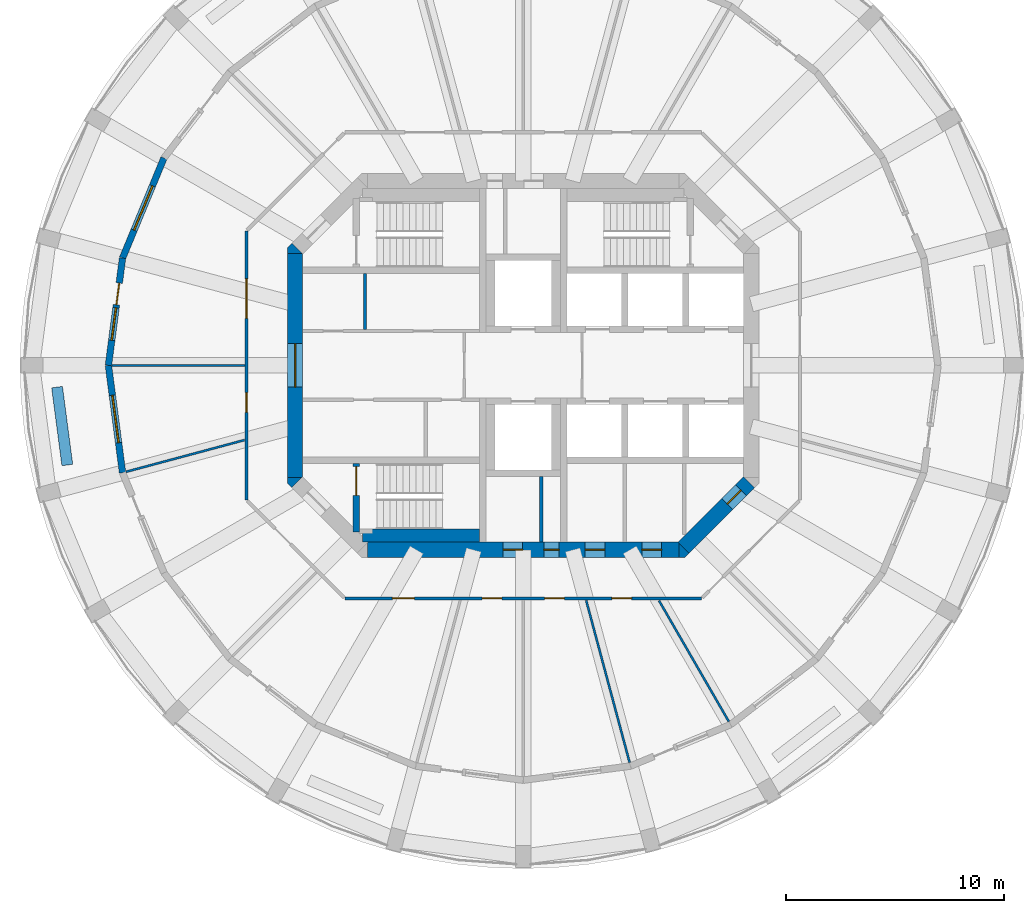
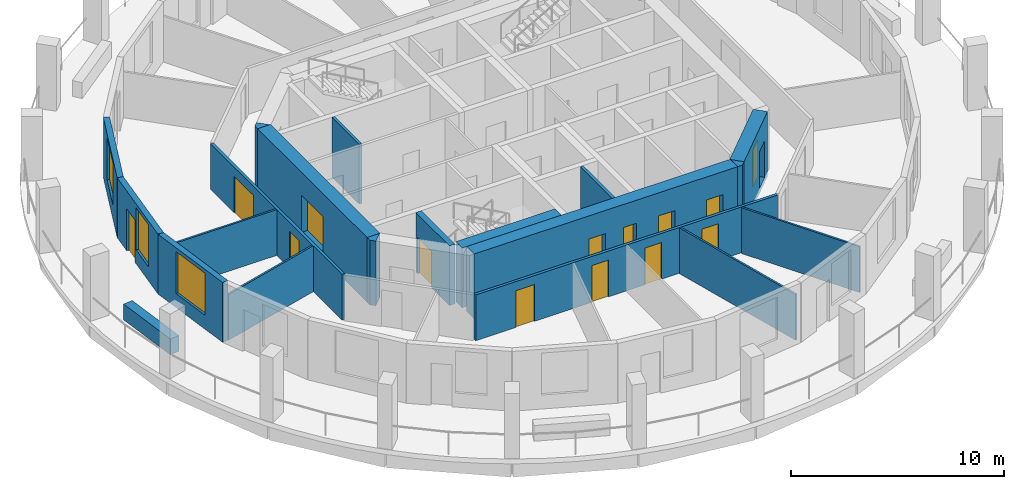
# One storey, part 3 of 9: 20 walls, 14 doors, 3 windows, 17 openings.
"""IFC4 building model written with IfcOpenShell, lengths in metres."""

import ifcopenshell
import ifcopenshell.guid

model = None  # the IFC model being written
_history = None  # IfcOwnerHistory: only IFC2X3 demands one
_inside = {}  # id of a spatial element -> (the spatial element, [elements in it])
_under = {}  # id of a project, library or spatial element -> (it, [spatial elements below it])
_declared = {}  # id of a project -> (the project, [libraries it declares])
_typed = {}  # id of a type object -> (the type object, [elements of that type])
_made_of = {}  # id of a material, layer set ... -> (it, [elements and type objects made of it])


def new_model(schema):
    """Start an empty IFC model of exactly this schema.

    Asked for "IFC4X3", IfcOpenShell would pick the latest addendum, in which some entities
    have other attributes; the version numbers below select the first issue.
    IFC2X3 requires an IfcOwnerHistory on every rooted entity: one is made here for all.
    """
    global model, _history
    if schema == "IFC4X3":
        model = ifcopenshell.file(schema_version=(4, 3, 0, 0))
    else:
        model = ifcopenshell.file(schema=schema)
    _inside.clear()
    _under.clear()
    _declared.clear()
    _typed.clear()
    _made_of.clear()
    _history = None
    if model.schema == "IFC2X3":
        org = make("IfcOrganization", Name="unknown")
        user = make(
            "IfcPersonAndOrganization",
            ThePerson=make("IfcPerson", FamilyName="unknown"),
            TheOrganization=org,
        )
        app = make(
            "IfcApplication",
            ApplicationDeveloper=org,
            Version="unknown",
            ApplicationFullName="unknown",
            ApplicationIdentifier="unknown",
        )
        _history = make(
            "IfcOwnerHistory",
            OwningUser=user,
            OwningApplication=app,
            ChangeAction="ADDED",
            CreationDate=0,
        )
    return model


def make(cls, **values):
    """One entity of the class cls with the attributes given. An attribute that is None is left unset."""
    return model.create_entity(
        cls, **{name: value for name, value in values.items() if value is not None}
    )


def rooted(cls, **values):
    """An entity with a GlobalId (a new one), such as an element, a storey or a relation."""
    return make(cls, GlobalId=ifcopenshell.guid.new(), OwnerHistory=_history, **values)


def si_unit(unit_type, name, prefix=None):
    """IfcSIUnit, for example si_unit("LENGTHUNIT", "METRE", prefix="MILLI")."""
    return make("IfcSIUnit", UnitType=unit_type, Prefix=prefix, Name=name)


def assignment(units):
    """IfcUnitAssignment: the units of a project."""
    return None if units is None else make("IfcUnitAssignment", Units=units)


def point(xyz):
    """IfcCartesianPoint."""
    return None if xyz is None else make("IfcCartesianPoint", Coordinates=xyz)


def direction(xyz):
    """IfcDirection."""
    return None if xyz is None else make("IfcDirection", DirectionRatios=xyz)


def frame(location, z_axis=None, x_axis=None):
    """IfcAxis2Placement3D, a coordinate frame: its origin and axes. An axis left out is left unset."""
    return make(
        "IfcAxis2Placement3D",
        Location=point(location),
        Axis=direction(z_axis),
        RefDirection=direction(x_axis),
    )


def frame_2d(location, x_axis=None):
    """IfcAxis2Placement2D, a coordinate frame in the plane: its origin and x axis."""
    return make(
        "IfcAxis2Placement2D", Location=point(location), RefDirection=direction(x_axis)
    )


def origin():
    """The frame at (0, 0, 0) with its axes left unset."""
    return frame((0.0, 0.0, 0.0))


def place(relative_to, where):
    """IfcLocalPlacement: puts the frame where relative to a parent placement (None: the world)."""
    return make(
        "IfcLocalPlacement", PlacementRelTo=relative_to, RelativePlacement=where
    )


def context(
    kind, dimensions, precision=None, world=None, true_north=None, identifier=None
):
    """IfcGeometricRepresentationContext, for example the 3D "Model" context."""
    return make(
        "IfcGeometricRepresentationContext",
        ContextIdentifier=identifier,
        ContextType=kind,
        CoordinateSpaceDimension=dimensions,
        Precision=precision,
        WorldCoordinateSystem=world,
        TrueNorth=true_north,
    )


def subcontext(parent, identifier, kind, view, scale=None):
    """IfcGeometricRepresentationSubContext, for example "Body" below "Model"."""
    return make(
        "IfcGeometricRepresentationSubContext",
        ContextIdentifier=identifier,
        ContextType=kind,
        ParentContext=parent,
        TargetScale=scale,
        TargetView=view,
    )


def project(units=None, contexts=None):
    """IfcProject with its units and contexts."""
    return rooted(
        "IfcProject",
        Name="project",
        RepresentationContexts=contexts,
        UnitsInContext=assignment(units),
    )


def spatial(cls, under=None, at=None, **own):
    """A site, building, storey or space (cls), placed at a placement, below another one or the project."""
    s = rooted(cls, ObjectPlacement=at, **own)
    if under is not None:
        _under.setdefault(under.id(), (under, []))[1].append(s)
    return s


def polyline(points):
    """IfcPolyline through the points."""
    return make("IfcPolyline", Points=[point(p) for p in points])


def profile(cls, at=None, kind="AREA", **sizes):
    """A parametric profile (cls). Its sizes go by their IFC names, for example OverallWidth=200.0."""
    return make(cls, ProfileType=kind, Position=at, **sizes)


def rectangle(**sizes):
    """IfcRectangleProfileDef."""
    return profile("IfcRectangleProfileDef", **sizes)


def outline(outer, holes=None, kind="AREA"):
    """IfcArbitraryClosedProfileDef: a profile drawn as a closed curve; with holes, ...WithVoids."""
    if holes is None:
        return make("IfcArbitraryClosedProfileDef", ProfileType=kind, OuterCurve=outer)
    return make(
        "IfcArbitraryProfileDefWithVoids",
        ProfileType=kind,
        OuterCurve=outer,
        InnerCurves=holes,
    )


def extrude(swept, where, along, depth):
    """IfcExtrudedAreaSolid: the profile swept, set in the frame where, extruded along a direction by depth."""
    return make(
        "IfcExtrudedAreaSolid",
        SweptArea=swept,
        Position=where,
        ExtrudedDirection=direction(along),
        Depth=depth,
    )


def shape(context_of_items, identifier, shape_type, items):
    """IfcShapeRepresentation: the items that make up one representation, for example the "Body"."""
    return make(
        "IfcShapeRepresentation",
        ContextOfItems=context_of_items,
        RepresentationIdentifier=identifier,
        RepresentationType=shape_type,
        Items=items,
    )


def material(Name=None, Category=None):
    """IfcMaterial."""
    return make("IfcMaterial", Name=Name, Category=Category)


def layer(
    of_material, thickness, ventilated=None, Name=None, Category=None, Priority=None
):
    """IfcMaterialLayer: one layer of a wall or slab, of a material (None: an air gap)."""
    return make(
        "IfcMaterialLayer",
        Material=of_material,
        LayerThickness=thickness,
        IsVentilated=ventilated,
        Name=Name,
        Category=Category,
        Priority=Priority,
    )


def layer_set(layers, Name=None):
    """IfcMaterialLayerSet."""
    return make("IfcMaterialLayerSet", MaterialLayers=layers, LayerSetName=Name)


def made_of(thing, what):
    """Note that an element or type object is made of a material, layer set ...; save() writes the relation."""
    if what is not None:
        _made_of.setdefault(what.id(), (what, []))[1].append(thing)
    return thing


def type_object(cls, material=None, **own):
    """A type object (cls), such as IfcWallType, which elements share."""
    return made_of(rooted(cls, **own), material)


def element(
    cls,
    number,
    at=None,
    inside=None,
    cuts=None,
    type_object=None,
    material=None,
    context=None,
    identifier="Body",
    shape_type=None,
    held_by="IfcProductDefinitionShape",
    body=None,
    shapes=None,
    **own,
):
    """One element of the class cls, such as IfcWall. Its Tag is "e" and its number.

    at: its placement. inside: the storey or other place that contains it. cuts: it is an
    opening in that element (IfcRelVoidsElement). A single representation is given by context,
    identifier, shape_type and body (its items); several are given by shapes. held_by: the class
    of the entity that holds the representations. save() writes the other relations.
    """
    e = rooted(cls, Tag="e%d" % number, ObjectPlacement=at, **own)
    if body is not None:
        shapes = [shape(context, identifier, shape_type, body)]
    if shapes is not None:
        e.Representation = make(held_by, Representations=shapes)
    if inside is not None:
        _inside.setdefault(inside.id(), (inside, []))[1].append(e)
    if cuts is not None:
        rooted(
            "IfcRelVoidsElement", RelatingBuildingElement=cuts, RelatedOpeningElement=e
        )
    if type_object is not None:
        _typed.setdefault(type_object.id(), (type_object, []))[1].append(e)
    return made_of(e, material)


def fill(opening, filler):
    """IfcRelFillsElement: the door or window that sits in an opening."""
    return rooted(
        "IfcRelFillsElement",
        RelatingOpeningElement=opening,
        RelatedBuildingElement=filler,
    )


def aggregate(whole, parts):
    """IfcRelAggregates: a whole, such as a stair, and the parts it consists of."""
    return rooted("IfcRelAggregates", RelatingObject=whole, RelatedObjects=parts)


def save(model, path):
    """Write the relations noted so far, then the file.

    IfcRelAggregates (storeys below a building ...), IfcRelContainedInSpatialStructure (elements
    in a storey), IfcRelDefinesByType, IfcRelAssociatesMaterial and IfcRelDeclares: one each for
    every whole, place, type object, material and project.
    """
    for whole, parts in _under.values():
        aggregate(whole, parts)
    for where, things in _inside.values():
        rooted(
            "IfcRelContainedInSpatialStructure",
            RelatedElements=things,
            RelatingStructure=where,
        )
    for kind, things in _typed.values():
        rooted("IfcRelDefinesByType", RelatedObjects=things, RelatingType=kind)
    for what, things in _made_of.values():
        rooted("IfcRelAssociatesMaterial", RelatedObjects=things, RelatingMaterial=what)
    for by, libraries in _declared.values():
        rooted("IfcRelDeclares", RelatingContext=by, RelatedDefinitions=libraries)
    model.write(path)


model = new_model("IFC4")

# Units and contexts
model_context = context("Model", 3, precision=1e-05, world=origin(), true_north=direction((0.0, 1.0)))
body_context = subcontext(model_context, "Body", "Model", "MODEL_VIEW")
ifc_project = project(units=[si_unit("LENGTHUNIT", "METRE"), si_unit("AREAUNIT", "SQUARE_METRE"), si_unit("VOLUMEUNIT", "CUBIC_METRE"), si_unit("PLANEANGLEUNIT", "RADIAN"), si_unit("MASSUNIT", "GRAM", prefix="KILO")], contexts=[model_context])

# Site, building, storey
site_placement = place(None, origin())
site = spatial("IfcSite", under=ifc_project, at=site_placement, CompositionType="ELEMENT")
building_placement = place(site_placement, origin())
building = spatial("IfcBuilding", under=site, at=building_placement, Name="Torre Triforio", CompositionType="ELEMENT")
storey_placement = place(building_placement, frame((0.0, 0.0, 176.39990234375)))
storey = spatial("IfcBuildingStorey", under=building, at=storey_placement, Name="L40", CompositionType="ELEMENT", Elevation=176.39990234375)

# Wall, openings, doors
ifc_material_1 = material(Name="Concrete C50", Category="concrete")
ifc_layer_1 = layer(ifc_material_1, 0.699951171875)
ifc_layer_set_1 = layer_set([ifc_layer_1], Name="Concrete C50")
wall_type_1 = type_object("IfcWallType", Name="Core wall 700 mm C50 EI 120", PredefinedType="SHEAR", material=ifc_layer_set_1)
wall_1_placement = place(storey_placement, frame((-7.1298828125, -8.449951171875, -0.27978515625), z_axis=(0.0, 0.0, 1.0), x_axis=(1.0, 0.0, 0.0)))
wall_1 = element("IfcWall", 1, at=wall_1_placement, inside=storey, type_object=wall_type_1, Name="Core wall", PredefinedType="SHEAR", context=body_context, shape_type="SweptSolid", body=[
    extrude(rectangle(XDim=14.259765625, YDim=0.699951171875, at=frame_2d((7.1298828125, 0.0))), origin(), (0.0, 0.0, 1.0), 3.699951171875),
])
opening_1_placement = place(wall_1_placement, frame((8.080078125, 0.0, 0.280029296875)))
opening_1 = element("IfcOpeningElement", 2, at=opening_1_placement, cuts=wall_1, Name="Opening RISER-S", PredefinedType="OPENING", context=body_context, shape_type="SweptSolid", body=[
    extrude(rectangle(XDim=0.699951171875, YDim=2.10009765625, at=frame_2d((0.35009765625, 1.050048828125))), frame((0.0, 0.35986328125, 0.0), z_axis=(0.0, -1.0, 0.0), x_axis=(1.0, 0.0, 0.0)), (0.0, 0.0, 1.0), 0.719970703125),
])
opening_2_placement = place(wall_1_placement, frame((6.205078125, 0.0, 0.280029296875)))
opening_2 = element("IfcOpeningElement", 3, at=opening_2_placement, cuts=wall_1, Name="Opening SW-01B", PredefinedType="OPENING", context=body_context, shape_type="SweptSolid", body=[
    extrude(rectangle(XDim=0.89990234375, YDim=2.10009765625, at=frame_2d((0.449951171875, 1.050048828125))), frame((0.0, 0.35986328125, 0.0), z_axis=(0.0, -1.0, 0.0), x_axis=(1.0, 0.0, 0.0)), (0.0, 0.0, 1.0), 0.719970703125),
])
opening_3_placement = place(wall_1_placement, frame((9.967041015625, 0.0, 0.280029296875)))
opening_3 = element("IfcOpeningElement", 4, at=opening_3_placement, cuts=wall_1, Name="Opening SE-01A", PredefinedType="OPENING", context=body_context, shape_type="SweptSolid", body=[
    extrude(rectangle(XDim=0.89990234375, YDim=2.10009765625, at=frame_2d((0.449951171875, 1.050048828125))), frame((0.0, 0.35986328125, 0.0), z_axis=(0.0, -1.0, 0.0), x_axis=(1.0, 0.0, 0.0)), (0.0, 0.0, 1.0), 0.719970703125),
])
opening_4_placement = place(wall_1_placement, frame((12.56689453125, 0.0, 0.280029296875)))
opening_4 = element("IfcOpeningElement", 5, at=opening_4_placement, cuts=wall_1, Name="Opening SE-02", PredefinedType="OPENING", context=body_context, shape_type="SweptSolid", body=[
    extrude(rectangle(XDim=0.89990234375, YDim=2.10009765625, at=frame_2d((0.449951171875, 1.050048828125))), frame((0.0, 0.35986328125, 0.0), z_axis=(0.0, -1.0, 0.0), x_axis=(1.0, 0.0, 0.0)), (0.0, 0.0, 1.0), 0.719970703125),
])
ifc_material_2 = material(Name="Hollow metal fire door leaf")
door_type_1 = type_object("IfcDoorType", Name="Riser door 700 x 2100 EI 60", OperationType="NOTDEFINED", PredefinedType="DOOR", material=ifc_material_2)
door_1_placement = place(opening_1_placement, origin())
door_1 = element("IfcDoor", 6, at=door_1_placement, inside=storey, type_object=door_type_1, Name="Core door RISER-S", OperationType="SINGLE_SWING_RIGHT", OverallHeight=2.10009765625, OverallWidth=0.699951171875, PredefinedType="DOOR", context=body_context, shape_type="SweptSolid", body=[
    extrude(rectangle(XDim=0.699951171875, YDim=2.10009765625, at=frame_2d((0.35009765625, 1.050048828125))), frame((0.0, 0.02490234375, 0.0), z_axis=(0.0, -1.0, 0.0), x_axis=(1.0, 0.0, 0.0)), (0.0, 0.0, 1.0), 0.050048828125),
])
fill(opening_1, door_1)
door_type_2 = type_object("IfcDoorType", Name="Room door 900 x 2100 EI 60", OperationType="NOTDEFINED", PredefinedType="DOOR", material=ifc_material_2)
door_2_placement = place(opening_2_placement, origin())
door_2 = element("IfcDoor", 7, at=door_2_placement, inside=storey, type_object=door_type_2, Name="Core door SW-01", OperationType="SINGLE_SWING_LEFT", OverallHeight=2.10009765625, OverallWidth=0.89990234375, PredefinedType="DOOR", context=body_context, shape_type="SweptSolid", body=[
    extrude(rectangle(XDim=0.89990234375, YDim=2.10009765625, at=frame_2d((0.449951171875, 1.050048828125))), frame((0.0, 0.02490234375, 0.0), z_axis=(0.0, -1.0, 0.0), x_axis=(1.0, 0.0, 0.0)), (0.0, 0.0, 1.0), 0.050048828125),
])
fill(opening_2, door_2)
door_3_placement = place(opening_3_placement, origin())
door_3 = element("IfcDoor", 8, at=door_3_placement, inside=storey, type_object=door_type_2, Name="Core door SE-01", OperationType="SINGLE_SWING_LEFT", OverallHeight=2.10009765625, OverallWidth=0.89990234375, PredefinedType="DOOR", context=body_context, shape_type="SweptSolid", body=[
    extrude(rectangle(XDim=0.89990234375, YDim=2.10009765625, at=frame_2d((0.449951171875, 1.050048828125))), frame((0.0, 0.02490234375, 0.0), z_axis=(0.0, -1.0, 0.0), x_axis=(1.0, 0.0, 0.0)), (0.0, 0.0, 1.0), 0.050048828125),
])
fill(opening_3, door_3)
door_4_placement = place(opening_4_placement, origin())
door_4 = element("IfcDoor", 9, at=door_4_placement, inside=storey, type_object=door_type_2, Name="Core door SE-02", OperationType="SINGLE_SWING_LEFT", OverallHeight=2.10009765625, OverallWidth=0.89990234375, PredefinedType="DOOR", context=body_context, shape_type="SweptSolid", body=[
    extrude(rectangle(XDim=0.89990234375, YDim=2.10009765625, at=frame_2d((0.449951171875, 1.050048828125))), frame((0.0, 0.02490234375, 0.0), z_axis=(0.0, -1.0, 0.0), x_axis=(1.0, 0.0, 0.0)), (0.0, 0.0, 1.0), 0.050048828125),
])
fill(opening_4, door_4)

# Wall, opening, door
wall_2_placement = place(storey_placement, frame((-10.449951171875, -5.1298828125, -0.27978515625), z_axis=(0.0, 0.0, 1.0), x_axis=(0.0, 1.0, 0.0)))
wall_2 = element("IfcWall", 10, at=wall_2_placement, inside=storey, type_object=wall_type_1, Name="Core wall", PredefinedType="SHEAR", context=body_context, shape_type="SweptSolid", body=[
    extrude(rectangle(XDim=10.259765625, YDim=0.699951171875, at=frame_2d((5.1298828125, 0.0))), origin(), (0.0, 0.0, 1.0), 3.699951171875),
])
opening_5_placement = place(wall_2_placement, frame((4.1298828125, 0.0, 0.280029296875)))
opening_5 = element("IfcOpeningElement", 11, at=opening_5_placement, cuts=wall_2, Name="Opening W-RING", PredefinedType="OPENING", context=body_context, shape_type="SweptSolid", body=[
    extrude(rectangle(XDim=2.0, YDim=2.10009765625, at=frame_2d((1.0, 1.050048828125))), frame((0.0, 0.35986328125, 0.0), z_axis=(0.0, -1.0, 0.0), x_axis=(1.0, 0.0, 0.0)), (0.0, 0.0, 1.0), 0.719970703125),
])
door_type_3 = type_object("IfcDoorType", Name="Lobby door 2000 x 2100 EI 60", OperationType="DOUBLE_DOOR_SINGLE_SWING", PredefinedType="DOOR", material=ifc_material_2)
door_5_placement = place(opening_5_placement, origin())
door_5 = element("IfcDoor", 12, at=door_5_placement, inside=storey, type_object=door_type_3, Name="Core door W-RING", OperationType="DOUBLE_DOOR_SINGLE_SWING", OverallHeight=2.10009765625, OverallWidth=2.0, PredefinedType="DOOR", context=body_context, shape_type="SweptSolid", body=[
    extrude(rectangle(XDim=2.0, YDim=2.10009765625, at=frame_2d((1.0, 1.050048828125))), frame((0.0, 0.02490234375, 0.0), z_axis=(0.0, -1.0, 0.0), x_axis=(1.0, 0.0, 0.0)), (0.0, 0.0, 1.0), 0.050048828125),
])
fill(opening_5, door_5)

wall_3_placement = place(storey_placement, frame((10.347412109375, -5.347412109375, -0.27978515625), z_axis=(0.0, 0.0, 1.0), x_axis=(-0.707106781187, -0.707106781187, 0.0)))
wall_3 = element("IfcWall", 13, at=wall_3_placement, inside=storey, type_object=wall_type_1, Name="Core wall", PredefinedType="SHEAR", context=body_context, shape_type="SweptSolid", body=[
    extrude(rectangle(XDim=4.24267578125, YDim=0.699951171875, at=frame_2d((2.121337890625, 0.0))), origin(), (0.0, 0.0, 1.0), 3.699951171875),
])
opening_6_placement = place(wall_3_placement, frame((0.52001953125, 0.0, 0.280029296875)))
opening_6 = element("IfcOpeningElement", 14, at=opening_6_placement, cuts=wall_3, Name="Opening SE-03", PredefinedType="OPENING", context=body_context, shape_type="SweptSolid", body=[
    extrude(rectangle(XDim=0.89990234375, YDim=2.10009765625, at=frame_2d((0.449951171875, 1.050048828125))), frame((0.0, 0.35986328125, 0.0), z_axis=(0.0, -1.0, 0.0), x_axis=(1.0, 0.0, 0.0)), (0.0, 0.0, 1.0), 0.719970703125),
])
door_6_placement = place(opening_6_placement, origin())
door_6 = element("IfcDoor", 15, at=door_6_placement, inside=storey, type_object=door_type_2, Name="Core door SE-03", OperationType="SINGLE_SWING_RIGHT", OverallHeight=2.10009765625, OverallWidth=0.89990234375, PredefinedType="DOOR", context=body_context, shape_type="SweptSolid", body=[
    extrude(rectangle(XDim=0.89990234375, YDim=2.10009765625, at=frame_2d((0.449951171875, 1.050048828125))), frame((0.0, 0.02490234375, 0.0), z_axis=(0.0, -1.0, 0.0), x_axis=(1.0, 0.0, 0.0)), (0.0, 0.0, 1.0), 0.050048828125),
])
fill(opening_6, door_6)

# Walls
wall_4_placement = place(storey_placement, frame((0.0, 0.0, -0.27978515625)))
element("IfcWall", 16, at=wall_4_placement, inside=storey, type_object=wall_type_1, Name="Core wall", PredefinedType="SHEAR", context=body_context, shape_type="SweptSolid", body=[
    extrude(outline(polyline([(7.389892578125, -8.800048828125), (7.1298828125, -8.800048828125), (7.1298828125, -8.800048828125), (7.1298828125, -8.1298828125), (7.594970703125, -8.594970703125), (7.594970703125, -8.594970703125), (7.594970703125, -8.594970703125), (7.389892578125, -8.800048828125)])), origin(), (0.0, 0.0, 1.0), 3.699951171875),
])
wall_5_placement = place(storey_placement, frame((0.0, 0.0, -0.27978515625)))
element("IfcWall", 17, at=wall_5_placement, inside=storey, type_object=wall_type_1, Name="Core wall", PredefinedType="SHEAR", context=body_context, shape_type="SweptSolid", body=[
    extrude(outline(polyline([(-10.800048828125, -5.389892578125), (-10.800048828125, -5.1298828125), (-10.800048828125, -5.1298828125), (-10.1298828125, -5.1298828125), (-10.594970703125, -5.594970703125), (-10.594970703125, -5.594970703125), (-10.594970703125, -5.594970703125), (-10.800048828125, -5.389892578125)])), origin(), (0.0, 0.0, 1.0), 3.699951171875),
])
wall_6_placement = place(storey_placement, frame((0.0, 0.0, -0.27978515625)))
element("IfcWall", 18, at=wall_6_placement, inside=storey, type_object=wall_type_1, Name="Core wall", PredefinedType="SHEAR", context=body_context, shape_type="SweptSolid", body=[
    extrude(outline(polyline([(-10.594970703125, 5.594970703125), (-10.594970703125, 5.594970703125), (-10.594970703125, 5.594970703125), (-10.1298828125, 5.1298828125), (-10.800048828125, 5.1298828125), (-10.800048828125, 5.1298828125), (-10.800048828125, 5.389892578125), (-10.594970703125, 5.594970703125)])), origin(), (0.0, 0.0, 1.0), 3.699951171875),
])

# Wall, openings, doors
ifc_material_3 = material(Name="Plasterboard on metal studs")
ifc_layer_2 = layer(ifc_material_3, 0.14990234375)
ifc_layer_set_2 = layer_set([ifc_layer_2], Name="Plasterboard on metal studs")
wall_type_2 = type_object("IfcWallType", Name="Corridor and tenancy wall 150 mm EI 60", PredefinedType="PARTITIONING", material=ifc_layer_set_2)
wall_7_placement = place(storey_placement, frame((8.16650390625, -10.675048828125, 0.0), z_axis=(0.0, 0.0, 1.0), x_axis=(-1.0, 0.0, 0.0)))
wall_7 = element("IfcWall", 19, at=wall_7_placement, inside=storey, type_object=wall_type_2, Name="Partition 2", PredefinedType="PARTITIONING", context=body_context, shape_type="SweptSolid", body=[
    extrude(rectangle(XDim=16.3330078125, YDim=0.14990234375, at=frame_2d((8.16650390625, 0.0))), origin(), (0.0, 0.0, 1.0), 2.6201171875),
])
opening_7_placement = place(wall_7_placement, frame((13.155029296875, 0.0, 0.0)))
opening_7 = element("IfcOpeningElement", 20, at=opening_7_placement, cuts=wall_7, Name="Opening O3-04", PredefinedType="OPENING", context=body_context, shape_type="SweptSolid", body=[
    extrude(rectangle(XDim=1.0, YDim=2.10009765625, at=frame_2d((0.5, 1.050048828125))), frame((0.0, 0.0849609375, 0.0), z_axis=(0.0, -1.0, 0.0), x_axis=(1.0, 0.0, 0.0)), (0.0, 0.0, 1.0), 0.169921875),
])
opening_8_placement = place(wall_7_placement, frame((9.147705078125, 0.0, 0.0)))
opening_8 = element("IfcOpeningElement", 21, at=opening_8_placement, cuts=wall_7, Name="Opening O3-05", PredefinedType="OPENING", context=body_context, shape_type="SweptSolid", body=[
    extrude(rectangle(XDim=0.89990234375, YDim=2.10009765625, at=frame_2d((0.449951171875, 1.050048828125))), frame((0.0, 0.0849609375, 0.0), z_axis=(0.0, -1.0, 0.0), x_axis=(1.0, 0.0, 0.0)), (0.0, 0.0, 1.0), 0.169921875),
])
opening_9_placement = place(wall_7_placement, frame((6.285400390625, 0.0, 0.0)))
opening_9 = element("IfcOpeningElement", 22, at=opening_9_placement, cuts=wall_7, Name="Opening O3-06", PredefinedType="OPENING", context=body_context, shape_type="SweptSolid", body=[
    extrude(rectangle(XDim=0.89990234375, YDim=2.10009765625, at=frame_2d((0.449951171875, 1.050048828125))), frame((0.0, 0.0849609375, 0.0), z_axis=(0.0, -1.0, 0.0), x_axis=(1.0, 0.0, 0.0)), (0.0, 0.0, 1.0), 0.169921875),
])
opening_10_placement = place(wall_7_placement, frame((3.200927734375, 0.0, 0.0)))
opening_10 = element("IfcOpeningElement", 23, at=opening_10_placement, cuts=wall_7, Name="Opening O3-07", PredefinedType="OPENING", context=body_context, shape_type="SweptSolid", body=[
    extrude(rectangle(XDim=0.89990234375, YDim=2.10009765625, at=frame_2d((0.449951171875, 1.050048828125))), frame((0.0, 0.0849609375, 0.0), z_axis=(0.0, -1.0, 0.0), x_axis=(1.0, 0.0, 0.0)), (0.0, 0.0, 1.0), 0.169921875),
])
ifc_material_4 = material(Name="Timber", Category="wood")
door_type_4 = type_object("IfcDoorType", Name="Door 1000 x 2100 single leaf EI 30", OperationType="NOTDEFINED", PredefinedType="DOOR", material=ifc_material_4)
door_7_placement = place(opening_7_placement, origin())
door_7 = element("IfcDoor", 24, at=door_7_placement, inside=storey, type_object=door_type_4, Name="Door O3-04", OperationType="SINGLE_SWING_RIGHT", OverallHeight=2.10009765625, OverallWidth=1.0, PredefinedType="DOOR", context=body_context, shape_type="SweptSolid", body=[
    extrude(rectangle(XDim=1.0, YDim=2.10009765625, at=frame_2d((0.5, 1.050048828125))), frame((0.0, 0.02490234375, 0.0), z_axis=(0.0, -1.0, 0.0), x_axis=(1.0, 0.0, 0.0)), (0.0, 0.0, 1.0), 0.050048828125),
])
fill(opening_7, door_7)
door_type_5 = type_object("IfcDoorType", Name="Door 900 x 2100 single leaf EI 30", OperationType="NOTDEFINED", PredefinedType="DOOR", material=ifc_material_4)
door_8_placement = place(opening_8_placement, origin())
door_8 = element("IfcDoor", 25, at=door_8_placement, inside=storey, type_object=door_type_5, Name="Door O3-05", OperationType="SINGLE_SWING_LEFT", OverallHeight=2.10009765625, OverallWidth=0.89990234375, PredefinedType="DOOR", context=body_context, shape_type="SweptSolid", body=[
    extrude(rectangle(XDim=0.89990234375, YDim=2.10009765625, at=frame_2d((0.449951171875, 1.050048828125))), frame((0.0, 0.02490234375, 0.0), z_axis=(0.0, -1.0, 0.0), x_axis=(1.0, 0.0, 0.0)), (0.0, 0.0, 1.0), 0.050048828125),
])
fill(opening_8, door_8)
door_9_placement = place(opening_9_placement, origin())
door_9 = element("IfcDoor", 26, at=door_9_placement, inside=storey, type_object=door_type_5, Name="Door O3-06", OperationType="SINGLE_SWING_LEFT", OverallHeight=2.10009765625, OverallWidth=0.89990234375, PredefinedType="DOOR", context=body_context, shape_type="SweptSolid", body=[
    extrude(rectangle(XDim=0.89990234375, YDim=2.10009765625, at=frame_2d((0.449951171875, 1.050048828125))), frame((0.0, 0.02490234375, 0.0), z_axis=(0.0, -1.0, 0.0), x_axis=(1.0, 0.0, 0.0)), (0.0, 0.0, 1.0), 0.050048828125),
])
fill(opening_9, door_9)
door_10_placement = place(opening_10_placement, origin())
door_10 = element("IfcDoor", 27, at=door_10_placement, inside=storey, type_object=door_type_5, Name="Door O3-07", OperationType="SINGLE_SWING_RIGHT", OverallHeight=2.10009765625, OverallWidth=0.89990234375, PredefinedType="DOOR", context=body_context, shape_type="SweptSolid", body=[
    extrude(rectangle(XDim=0.89990234375, YDim=2.10009765625, at=frame_2d((0.449951171875, 1.050048828125))), frame((0.0, 0.02490234375, 0.0), z_axis=(0.0, -1.0, 0.0), x_axis=(1.0, 0.0, 0.0)), (0.0, 0.0, 1.0), 0.050048828125),
])
fill(opening_10, door_10)

wall_8_placement = place(storey_placement, frame((-12.675048828125, -6.16650390625, 0.0), z_axis=(0.0, 0.0, 1.0), x_axis=(0.0, 1.0, 0.0)))
wall_8 = element("IfcWall", 28, at=wall_8_placement, inside=storey, type_object=wall_type_2, Name="Partition 4", PredefinedType="PARTITIONING", context=body_context, shape_type="SweptSolid", body=[
    extrude(rectangle(XDim=12.3330078125, YDim=0.14990234375, at=frame_2d((6.16650390625, 0.0))), origin(), (0.0, 0.0, 1.0), 2.6201171875),
])
opening_11_placement = place(wall_8_placement, frame((8.324951171875, 0.0, 0.0)))
opening_11 = element("IfcOpeningElement", 29, at=opening_11_placement, cuts=wall_8, Name="Opening O3-01", PredefinedType="OPENING", context=body_context, shape_type="SweptSolid", body=[
    extrude(rectangle(XDim=1.800048828125, YDim=2.10009765625, at=frame_2d((0.89990234375, 1.050048828125))), frame((0.0, 0.0849609375, 0.0), z_axis=(0.0, -1.0, 0.0), x_axis=(1.0, 0.0, 0.0)), (0.0, 0.0, 1.0), 0.169921875),
])
opening_12_placement = place(wall_8_placement, frame((4.017578125, 0.0, 0.0)))
opening_12 = element("IfcOpeningElement", 30, at=opening_12_placement, cuts=wall_8, Name="Opening O3-02", PredefinedType="OPENING", context=body_context, shape_type="SweptSolid", body=[
    extrude(rectangle(XDim=0.89990234375, YDim=2.10009765625, at=frame_2d((0.449951171875, 1.050048828125))), frame((0.0, 0.0849609375, 0.0), z_axis=(0.0, -1.0, 0.0), x_axis=(1.0, 0.0, 0.0)), (0.0, 0.0, 1.0), 0.169921875),
])
door_type_6 = type_object("IfcDoorType", Name="Door 1800 x 2100 double leaf EI 30", OperationType="DOUBLE_DOOR_SINGLE_SWING", PredefinedType="DOOR", material=ifc_material_4)
door_11_placement = place(opening_11_placement, origin())
door_11 = element("IfcDoor", 31, at=door_11_placement, inside=storey, type_object=door_type_6, Name="Door O3-01", OperationType="DOUBLE_DOOR_SINGLE_SWING", OverallHeight=2.10009765625, OverallWidth=1.800048828125, PredefinedType="DOOR", context=body_context, shape_type="SweptSolid", body=[
    extrude(rectangle(XDim=1.800048828125, YDim=2.10009765625, at=frame_2d((0.89990234375, 1.050048828125))), frame((0.0, 0.02490234375, 0.0), z_axis=(0.0, -1.0, 0.0), x_axis=(1.0, 0.0, 0.0)), (0.0, 0.0, 1.0), 0.050048828125),
])
fill(opening_11, door_11)
door_12_placement = place(opening_12_placement, origin())
door_12 = element("IfcDoor", 32, at=door_12_placement, inside=storey, type_object=door_type_5, Name="Door O3-02", OperationType="SINGLE_SWING_LEFT", OverallHeight=2.10009765625, OverallWidth=0.89990234375, PredefinedType="DOOR", context=body_context, shape_type="SweptSolid", body=[
    extrude(rectangle(XDim=0.89990234375, YDim=2.10009765625, at=frame_2d((0.449951171875, 1.050048828125))), frame((0.0, 0.02490234375, 0.0), z_axis=(0.0, -1.0, 0.0), x_axis=(1.0, 0.0, 0.0)), (0.0, 0.0, 1.0), 0.050048828125),
])
fill(opening_12, door_12)

# Walls
ifc_layer_3 = layer(ifc_material_3, 0.10009765625)
ifc_layer_set_3 = layer_set([ifc_layer_3], Name="Plasterboard on metal studs")
wall_type_3 = type_object("IfcWallType", Name="Partition 100 mm board on metal studs", PredefinedType="PARTITIONING", material=ifc_layer_set_3)
wall_9_placement = place(storey_placement, frame((-12.75, 0.0, 0.0), z_axis=(0.0, 0.0, 1.0), x_axis=(-1.0, 0.0, 0.0)))
element("IfcWall", 33, at=wall_9_placement, inside=storey, type_object=wall_type_3, Name="Partition 15", PredefinedType="PARTITIONING", context=body_context, shape_type="SweptSolid", body=[
    extrude(rectangle(XDim=6.086669921875, YDim=0.10009765625, at=frame_2d((3.04345703125, 0.0))), origin(), (0.0, 0.0, 1.0), 2.6201171875),
])
wall_10_placement = place(storey_placement, frame((-12.764404296875, -3.420166015625, 0.0), z_axis=(0.0, 0.0, 1.0), x_axis=(-0.965925759926, -0.258819292773, 0.0)))
element("IfcWall", 34, at=wall_10_placement, inside=storey, type_object=wall_type_3, Name="Partition 16", PredefinedType="PARTITIONING", context=body_context, shape_type="SweptSolid", body=[
    extrude(rectangle(XDim=5.6220703125, YDim=0.10009765625, at=frame_2d((2.81103515625, 0.0))), origin(), (0.0, 0.0, 1.0), 2.6201171875),
])
wall_11_placement = place(storey_placement, frame((2.88427734375, -10.764404296875, 0.0), z_axis=(0.0, 0.0, 1.0), x_axis=(0.25881804804, -0.965926093451, 0.0)))
element("IfcWall", 35, at=wall_11_placement, inside=storey, type_object=wall_type_3, Name="Partition 20", PredefinedType="PARTITIONING", context=body_context, shape_type="SweptSolid", body=[
    extrude(rectangle(XDim=7.692626953125, YDim=0.10009765625, at=frame_2d((3.84619140625, 0.0))), origin(), (0.0, 0.0, 1.0), 2.6201171875),
])
wall_12_placement = place(storey_placement, frame((6.220703125, -10.774658203125, 0.0), z_axis=(0.0, 0.0, 1.0), x_axis=(0.500023166934, -0.866012027936, 0.0)))
element("IfcWall", 36, at=wall_12_placement, inside=storey, type_object=wall_type_3, Name="Partition 21", PredefinedType="PARTITIONING", context=body_context, shape_type="SweptSolid", body=[
    extrude(rectangle(XDim=6.395263671875, YDim=0.10009765625, at=frame_2d((3.19775390625, 0.0))), origin(), (0.0, 0.0, 1.0), 2.6201171875),
])
ifc_material_5 = material(Name="Block and board partition")
ifc_layer_4 = layer(ifc_material_5, 0.14990234375)
ifc_layer_set_4 = layer_set([ifc_layer_4], Name="Block and board partition")
wall_type_4 = type_object("IfcWallType", Name="Partition 150 mm", PredefinedType="PARTITIONING", material=ifc_layer_set_4)
wall_13_placement = place(storey_placement, frame((-7.242431640625, 1.64990234375, 0.0), z_axis=(0.0, 0.0, 1.0), x_axis=(0.0, 1.0, 0.0)))
element("IfcWall", 37, at=wall_13_placement, inside=storey, type_object=wall_type_4, Name="Partition", PredefinedType="PARTITIONING", context=body_context, shape_type="SweptSolid", body=[
    extrude(rectangle(XDim=2.550048828125, YDim=0.14990234375, at=frame_2d((1.27490234375, 0.0))), origin(), (0.0, 0.0, 1.0), 3.420166015625),
])
ifc_layer_5 = layer(ifc_material_5, 0.14990234375)
ifc_layer_set_5 = layer_set([ifc_layer_5], Name="Block and board partition")
wall_type_5 = type_object("IfcWallType", Name="Partition 150 mm EI 120", PredefinedType="PARTITIONING", material=ifc_layer_set_5)
wall_14_placement = place(storey_placement, frame((0.824951171875, -8.10009765625, 0.0), z_axis=(0.0, 0.0, 1.0), x_axis=(0.0, 1.0, 0.0)))
element("IfcWall", 38, at=wall_14_placement, inside=storey, type_object=wall_type_5, Name="Partition", PredefinedType="PARTITIONING", context=body_context, shape_type="SweptSolid", body=[
    extrude(rectangle(XDim=3.0, YDim=0.14990234375, at=frame_2d((1.5, 0.0))), origin(), (0.0, 0.0, 1.0), 3.420166015625),
])
ifc_material_6 = material(Name="Limestone cladding", Category="masonry")
ifc_layer_6 = layer(ifc_material_6, 0.10009765625)
ifc_material_7 = material(Name="Concrete C40", Category="concrete")
ifc_layer_7 = layer(ifc_material_7, 0.39990234375)
ifc_layer_set_6 = layer_set([ifc_layer_6, ifc_layer_7], Name="Limestone cladding / Concrete C40")
wall_type_6 = type_object("IfcWallType", Name="Planter wall 500", PredefinedType="PARAPET", material=ifc_layer_set_6)
wall_15_placement = place(storey_placement, frame((-21.352783203125, -0.99560546875, 0.0), z_axis=(0.0, 0.0, 1.0), x_axis=(0.130551000099, -0.991441595039, 0.0)))
element("IfcWall", 39, at=wall_15_placement, inside=storey, type_object=wall_type_6, Name="Planter L40 bay 13", PredefinedType="PARAPET", context=body_context, shape_type="SweptSolid", body=[
    extrude(rectangle(XDim=3.599853515625, YDim=0.5, at=frame_2d((1.7998046875, 0.0))), origin(), (0.0, 0.0, 1.0), 0.900146484375),
])

# Wall, opening, door
ifc_layer_8 = layer(ifc_material_1, 0.300048828125)
ifc_layer_set_7 = layer_set([ifc_layer_8], Name="Concrete C50")
wall_type_7 = type_object("IfcWallType", Name="Stair wall 300 mm C50 EI 120", PredefinedType="SHEAR", material=ifc_layer_set_7)
wall_16_placement = place(storey_placement, frame((-7.64990234375, -7.639892578125, 0.0), z_axis=(0.0, 0.0, 1.0), x_axis=(0.0, 1.0, 0.0)))
wall_16 = element("IfcWall", 40, at=wall_16_placement, inside=storey, type_object=wall_type_7, Name="Stair wall", PredefinedType="SHEAR", context=body_context, shape_type="SweptSolid", body=[
    extrude(rectangle(XDim=3.139892578125, YDim=0.300048828125, at=frame_2d((1.56982421875, 0.0))), origin(), (0.0, 0.0, 1.0), 3.420166015625),
])
opening_13_placement = place(wall_16_placement, frame((1.679931640625, 0.0, 0.0)))
opening_13 = element("IfcOpeningElement", 41, at=opening_13_placement, cuts=wall_16, Name="Opening ST3-STA", PredefinedType="OPENING", context=body_context, shape_type="SweptSolid", body=[
    extrude(rectangle(XDim=1.320068359375, YDim=2.10009765625, at=frame_2d((0.66015625, 1.050048828125))), frame((0.0, 0.159912109375, 0.0), z_axis=(0.0, -1.0, 0.0), x_axis=(1.0, 0.0, 0.0)), (0.0, 0.0, 1.0), 0.320068359375),
])
door_type_7 = type_object("IfcDoorType", Name="Stair door 1320 x 2100 EI 90", OperationType="DOUBLE_DOOR_SINGLE_SWING", PredefinedType="DOOR", material=ifc_material_2)
door_13_placement = place(opening_13_placement, origin())
door_13 = element("IfcDoor", 42, at=door_13_placement, inside=storey, type_object=door_type_7, Name="Core door ST3-ST", OperationType="DOUBLE_DOOR_SINGLE_SWING", OverallHeight=2.10009765625, OverallWidth=1.320068359375, PredefinedType="DOOR", context=body_context, shape_type="SweptSolid", body=[
    extrude(rectangle(XDim=1.320068359375, YDim=2.10009765625, at=frame_2d((0.66015625, 1.050048828125))), frame((0.0, 0.02490234375, 0.0), z_axis=(0.0, -1.0, 0.0), x_axis=(1.0, 0.0, 0.0)), (0.0, 0.0, 1.0), 0.050048828125),
])
fill(opening_13, door_13)

# Wall
ifc_layer_9 = layer(ifc_material_1, 0.60009765625)
ifc_layer_set_8 = layer_set([ifc_layer_9], Name="Concrete C50")
wall_type_8 = type_object("IfcWallType", Name="Stair wall 600 mm C50 EI 120", PredefinedType="SHEAR", material=ifc_layer_set_8)
wall_17_placement = place(storey_placement, frame((-7.3701171875, -7.800048828125, 0.0), z_axis=(0.0, 0.0, 1.0), x_axis=(1.0, 0.0, 0.0)))
element("IfcWall", 43, at=wall_17_placement, inside=storey, type_object=wall_type_8, Name="Stair wall", PredefinedType="SHEAR", context=body_context, shape_type="SweptSolid", body=[
    extrude(rectangle(XDim=5.3701171875, YDim=0.60009765625, at=frame_2d((2.68505859375, 0.0))), origin(), (0.0, 0.0, 1.0), 3.420166015625),
])

# Wall, opening, window
ifc_layer_10 = layer(ifc_material_6, 0.10009765625)
ifc_layer_11 = layer(ifc_material_7, 0.199951171875)
ifc_layer_set_9 = layer_set([ifc_layer_10, ifc_layer_11], Name="Limestone cladding / Concrete C40")
wall_type_9 = type_object("IfcWallType", Name="Stone-faced composite wall 300", PredefinedType="STANDARD", material=ifc_layer_set_9)
wall_18_placement = place(storey_placement, frame((-16.45458984375, 9.5, 0.0), z_axis=(0.0, 0.0, 1.0), x_axis=(-0.382650301762, -0.923893254961, 0.0)))
wall_18 = element("IfcWall", 44, at=wall_18_placement, inside=storey, type_object=wall_type_9, Name="External wall L40 bay 11", PredefinedType="STANDARD", context=body_context, shape_type="SweptSolid", body=[
    extrude(rectangle(XDim=4.9599609375, YDim=0.300048828125, at=frame_2d((2.47998046875, 0.0))), origin(), (0.0, 0.0, 1.0), 3.420166015625),
])
opening_14_placement = place(wall_18_placement, frame((1.3798828125, 0.0, 0.800048828125)))
opening_14 = element("IfcOpeningElement", 45, at=opening_14_placement, cuts=wall_18, Name="Opening O3-W11", PredefinedType="OPENING", context=body_context, shape_type="SweptSolid", body=[
    extrude(rectangle(XDim=2.199951171875, YDim=2.39990234375, at=frame_2d((1.10009765625, 1.199951171875))), frame((0.0, 0.159912109375, 0.0), z_axis=(0.0, -1.0, 0.0), x_axis=(1.0, 0.0, 0.0)), (0.0, 0.0, 1.0), 0.320068359375),
])
ifc_material_8 = material(Name="Aluminium frame with clear double glazing", Category="aluminium")
window_type_1 = type_object("IfcWindowType", Name="Punched window 2200 x 2400", PartitioningType="DOUBLE_PANEL_VERTICAL", PredefinedType="WINDOW", material=ifc_material_8)
window_1_placement = place(opening_14_placement, origin())
window_1 = element("IfcWindow", 46, at=window_1_placement, inside=storey, type_object=window_type_1, Name="Window EWN5 L40 bay 11", OverallHeight=2.39990234375, OverallWidth=2.199951171875, PartitioningType="SINGLE_PANEL", PredefinedType="WINDOW", context=body_context, shape_type="SweptSolid", body=[
    extrude(rectangle(XDim=2.199951171875, YDim=2.39990234375, at=frame_2d((1.10009765625, 1.199951171875))), frame((0.0, 0.030029296875, 0.0), z_axis=(0.0, -1.0, 0.0), x_axis=(1.0, 0.0, 0.0)), (0.0, 0.0, 1.0), 0.06005859375),
])
fill(opening_14, window_1)

# Wall, openings, door, window
wall_19_placement = place(storey_placement, frame((-18.3525390625, 4.91748046875, 0.0), z_axis=(0.0, 0.0, 1.0), x_axis=(-0.130538549191, -0.991443234469, 0.0)))
wall_19 = element("IfcWall", 47, at=wall_19_placement, inside=storey, type_object=wall_type_9, Name="External wall L40 bay 12", PredefinedType="STANDARD", context=body_context, shape_type="SweptSolid", body=[
    extrude(rectangle(XDim=4.9599609375, YDim=0.300048828125, at=frame_2d((2.47998046875, 0.0))), origin(), (0.0, 0.0, 1.0), 3.420166015625),
])
opening_15_placement = place(wall_19_placement, frame((1.155029296875, 0.0, 0.0)))
opening_15 = element("IfcOpeningElement", 48, at=opening_15_placement, cuts=wall_19, Name="Opening O3-D12", PredefinedType="OPENING", context=body_context, shape_type="SweptSolid", body=[
    extrude(rectangle(XDim=1.0, YDim=2.39990234375, at=frame_2d((0.5, 1.199951171875))), frame((0.0, 0.159912109375, 0.0), z_axis=(0.0, -1.0, 0.0), x_axis=(1.0, 0.0, 0.0)), (0.0, 0.0, 1.0), 0.320068359375),
])
opening_16_placement = place(wall_19_placement, frame((2.304931640625, 0.0, 0.800048828125)))
opening_16 = element("IfcOpeningElement", 49, at=opening_16_placement, cuts=wall_19, Name="Opening O3-W12A", PredefinedType="OPENING", context=body_context, shape_type="SweptSolid", body=[
    extrude(rectangle(XDim=1.5, YDim=2.39990234375, at=frame_2d((0.75, 1.199951171875))), frame((0.0, 0.159912109375, 0.0), z_axis=(0.0, -1.0, 0.0), x_axis=(1.0, 0.0, 0.0)), (0.0, 0.0, 1.0), 0.320068359375),
])
door_type_8 = type_object("IfcDoorType", Name="Loggia door 1000 x 2400", OperationType="NOTDEFINED", PredefinedType="DOOR", material=ifc_material_8)
door_14_placement = place(opening_15_placement, origin())
door_14 = element("IfcDoor", 50, at=door_14_placement, inside=storey, type_object=door_type_8, Name="Loggia door L40 bay 12", OperationType="SINGLE_SWING_LEFT", OverallHeight=2.39990234375, OverallWidth=1.0, PredefinedType="DOOR", context=body_context, shape_type="SweptSolid", body=[
    extrude(rectangle(XDim=1.0, YDim=2.39990234375, at=frame_2d((0.5, 1.199951171875))), frame((0.0, 0.02490234375, 0.0), z_axis=(0.0, -1.0, 0.0), x_axis=(1.0, 0.0, 0.0)), (0.0, 0.0, 1.0), 0.050048828125),
])
fill(opening_15, door_14)
window_type_2 = type_object("IfcWindowType", Name="Side window 1500 x 2400", PartitioningType="SINGLE_PANEL", PredefinedType="WINDOW", material=ifc_material_8)
window_2_placement = place(opening_16_placement, origin())
window_2 = element("IfcWindow", 51, at=window_2_placement, inside=storey, type_object=window_type_2, Name="Side window EWN14 L40 bay 12", OverallHeight=2.39990234375, OverallWidth=1.5, PartitioningType="SINGLE_PANEL", PredefinedType="WINDOW", context=body_context, shape_type="SweptSolid", body=[
    extrude(rectangle(XDim=1.5, YDim=2.39990234375, at=frame_2d((0.75, 1.199951171875))), frame((0.0, 0.030029296875, 0.0), z_axis=(0.0, -1.0, 0.0), x_axis=(1.0, 0.0, 0.0)), (0.0, 0.0, 1.0), 0.06005859375),
])
fill(opening_16, window_2)

# Wall, opening, window
wall_20_placement = place(storey_placement, frame((-19.0, 0.0, 0.0), z_axis=(0.0, 0.0, 1.0), x_axis=(0.130538549191, -0.991443234469, 0.0)))
wall_20 = element("IfcWall", 52, at=wall_20_placement, inside=storey, type_object=wall_type_9, Name="External wall L40 bay 13", PredefinedType="STANDARD", context=body_context, shape_type="SweptSolid", body=[
    extrude(rectangle(XDim=4.9599609375, YDim=0.300048828125, at=frame_2d((2.47998046875, 0.0))), origin(), (0.0, 0.0, 1.0), 3.420166015625),
])
opening_17_placement = place(wall_20_placement, frame((1.3798828125, 0.0, 0.800048828125)))
opening_17 = element("IfcOpeningElement", 53, at=opening_17_placement, cuts=wall_20, Name="Opening O3-W13", PredefinedType="OPENING", context=body_context, shape_type="SweptSolid", body=[
    extrude(rectangle(XDim=2.199951171875, YDim=2.39990234375, at=frame_2d((1.10009765625, 1.199951171875))), frame((0.0, 0.159912109375, 0.0), z_axis=(0.0, -1.0, 0.0), x_axis=(1.0, 0.0, 0.0)), (0.0, 0.0, 1.0), 0.320068359375),
])
window_3_placement = place(opening_17_placement, origin())
window_3 = element("IfcWindow", 54, at=window_3_placement, inside=storey, type_object=window_type_1, Name="Window EWN5 L40 bay 13", OverallHeight=2.39990234375, OverallWidth=2.199951171875, PartitioningType="SINGLE_PANEL", PredefinedType="WINDOW", context=body_context, shape_type="SweptSolid", body=[
    extrude(rectangle(XDim=2.199951171875, YDim=2.39990234375, at=frame_2d((1.10009765625, 1.199951171875))), frame((0.0, 0.030029296875, 0.0), z_axis=(0.0, -1.0, 0.0), x_axis=(1.0, 0.0, 0.0)), (0.0, 0.0, 1.0), 0.06005859375),
])
fill(opening_17, window_3)

save(model, "model.ifc")
